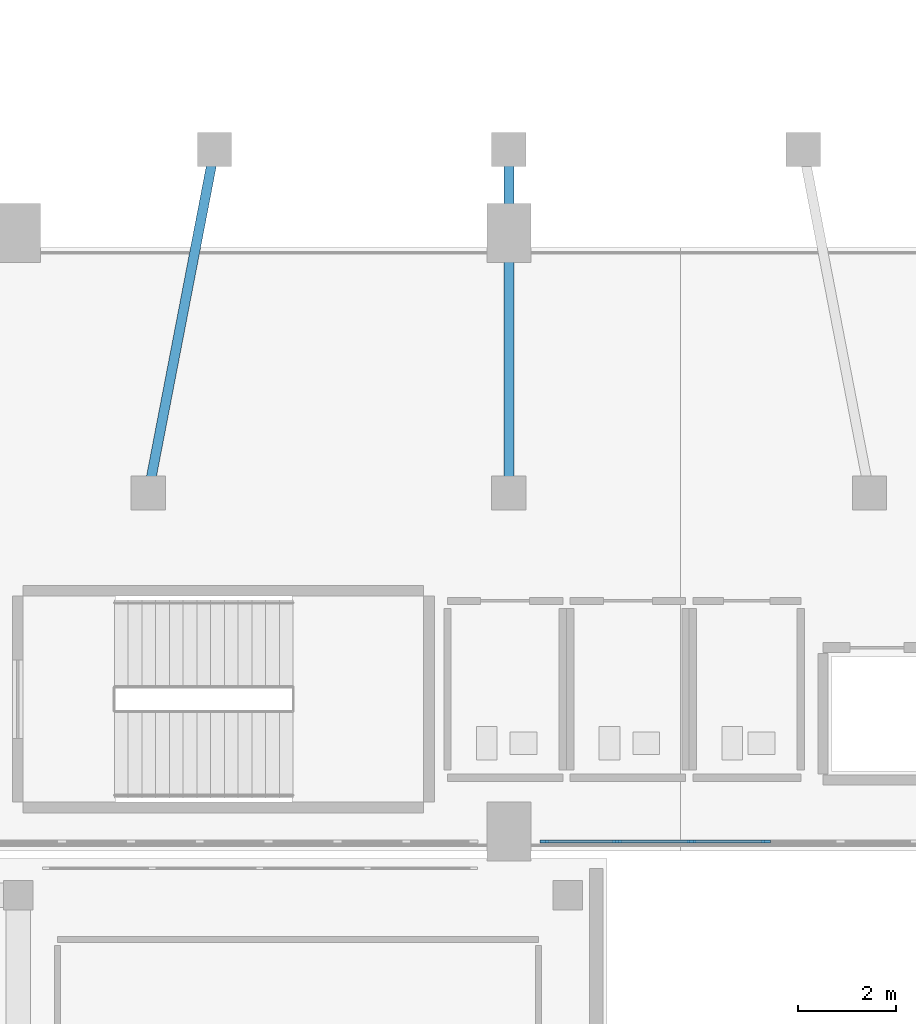
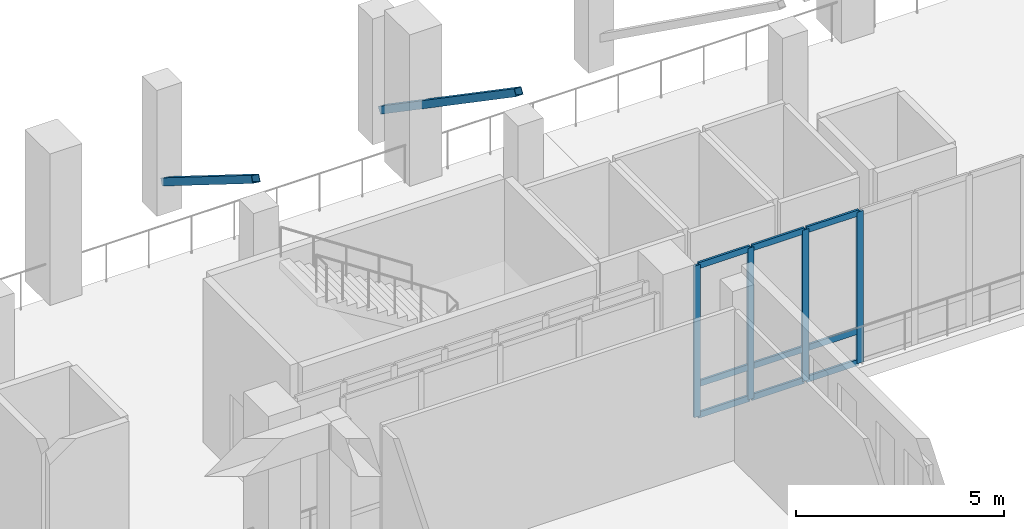
# One storey, part 21 of 126: 15 members, 1 element without a shape of its own.
"""IFC4 building model written with IfcOpenShell, lengths in metres."""

from ifc_helpers import new_model, si_unit, derived_unit, direction, frame, origin, origin_2d, place, context, subcontext, project, spatial, rectangle, hollow_rectangle, extrude, material, layer, layer_set, material_profile, profile_set, type_object, element, aggregate, save


model = new_model("IFC4")

# Units and contexts
model_context = context("Model", 3, precision=1e-05, world=origin(), true_north=direction((0.0, 1.0)))
body_context = subcontext(model_context, "Body", "Model", "MODEL_VIEW")
ifc_project = project(units=[si_unit("LENGTHUNIT", "METRE"), si_unit("AREAUNIT", "SQUARE_METRE"), si_unit("VOLUMEUNIT", "CUBIC_METRE"), si_unit("PLANEANGLEUNIT", "RADIAN"), si_unit("MASSUNIT", "GRAM", prefix="KILO"), derived_unit("THERMALTRANSMITTANCEUNIT", [(si_unit("MASSUNIT", "GRAM", prefix="KILO"), 1), (si_unit("TIMEUNIT", "SECOND"), -3), (si_unit("THERMODYNAMICTEMPERATUREUNIT", "KELVIN"), -1)])], contexts=[model_context])

# Site, building, storey
site_placement = place(None, origin())
site = spatial("IfcSite", under=ifc_project, at=site_placement, CompositionType="ELEMENT")
building_placement = place(site_placement, origin())
building = spatial("IfcBuilding", under=site, at=building_placement, Name="Valcora Ridge Arena", CompositionType="ELEMENT")
storey_placement = place(building_placement, frame((0.0, 0.0, 11.39990234375)))
storey = spatial("IfcBuildingStorey", under=building, at=storey_placement, Name="L02", CompositionType="ELEMENT", Elevation=11.39990234375)

# Curtain wall, members
ifc_material_1 = material(Name="Anodised dark bronze architectural aluminium 6063-T6", Category="aluminium")
ifc_layer = layer(ifc_material_1, 0.179931640625, Name="Anodised dark bronze architectural aluminium 6063-T6")
ifc_layer_set = layer_set([ifc_layer], Name="Anodised dark bronze architectural aluminium 6063-T6")
curtain_wall_type = type_object("IfcCurtainWallType", Name="TY-CURTAINWALL-CW-V1-GOTH-106X44", PredefinedType="NOTDEFINED", material=ifc_layer_set)
curtain_wall_placement = place(storey_placement, origin())
curtain_wall = element("IfcCurtainWall", 1, at=curtain_wall_placement, inside=storey, type_object=curtain_wall_type, Name="CW-V1-GOTH-106X44 CW-0121", PredefinedType="NOTDEFINED")
ifc_material_profile_1 = material_profile(ifc_material_1, rectangle(XDim=0.06005859375, YDim=0.179931640625, at=origin_2d()), Name="ALU MULLION 60x180")
ifc_profile_set_1 = profile_set([ifc_material_profile_1], Name="Anodised dark bronze architectural aluminium 6063-T6")
member_type_1 = type_object("IfcMemberType", Name="TY-MEM-CWM-60x180", PredefinedType="MULLION", material=ifc_profile_set_1)
member_1_placement = place(storey_placement, frame((58.719970703125, 20.199951171875, 0.0), z_axis=(0.0, 0.0, 1.0), x_axis=(0.0, 1.0, 0.0)))
member_1 = element("IfcMember", 2, at=member_1_placement, type_object=member_type_1, Name="CW-0121/CWM-60x180/M00", PredefinedType="MULLION", context=body_context, shape_type="SweptSolid", body=[
    extrude(rectangle(XDim=0.06005859375, YDim=0.179931640625, at=origin_2d()), origin(), (0.0, 0.0, 1.0), 4.4501953125),
])
member_2_placement = place(storey_placement, frame((60.20703125, 20.199951171875, 0.0), z_axis=(0.0, 0.0, 1.0), x_axis=(0.0, 1.0, 0.0)))
member_2 = element("IfcMember", 3, at=member_2_placement, type_object=member_type_1, Name="CW-0121/CWM-60x180/M01", PredefinedType="MULLION", context=body_context, shape_type="SweptSolid", body=[
    extrude(rectangle(XDim=0.06005859375, YDim=0.179931640625, at=origin_2d()), origin(), (0.0, 0.0, 1.0), 4.4501953125),
])
member_3_placement = place(storey_placement, frame((61.724365234375, 20.199951171875, 0.0), z_axis=(0.0, 0.0, 1.0), x_axis=(0.0, 1.0, 0.0)))
member_3 = element("IfcMember", 4, at=member_3_placement, type_object=member_type_1, Name="CW-0121/CWM-60x180/M02", PredefinedType="MULLION", context=body_context, shape_type="SweptSolid", body=[
    extrude(rectangle(XDim=0.06005859375, YDim=0.179931640625, at=origin_2d()), origin(), (0.0, 0.0, 1.0), 4.4501953125),
])
member_4_placement = place(storey_placement, frame((63.241455078125, 20.199951171875, 0.0), z_axis=(0.0, 0.0, 1.0), x_axis=(0.0, 1.0, 0.0)))
member_4 = element("IfcMember", 5, at=member_4_placement, type_object=member_type_1, Name="CW-0121/CWM-60x180/M03", PredefinedType="MULLION", context=body_context, shape_type="SweptSolid", body=[
    extrude(rectangle(XDim=0.06005859375, YDim=0.179931640625, at=origin_2d()), origin(), (0.0, 0.0, 1.0), 4.4501953125),
])
ifc_material_profile_2 = material_profile(ifc_material_1, rectangle(XDim=0.06005859375, YDim=0.179931640625, at=origin_2d()), Name="ALU TRANSOM 60x180")
ifc_profile_set_2 = profile_set([ifc_material_profile_2], Name="Anodised dark bronze architectural aluminium 6063-T6")
member_type_2 = type_object("IfcMemberType", Name="TY-MEM-CWT-60x180", PredefinedType="USERDEFINED", material=ifc_profile_set_2)
member_5_placement = place(storey_placement, frame((58.75, 20.199951171875, 0.030029296875), z_axis=(1.0, 0.0, 0.0), x_axis=(0.0, 1.0, 0.0)))
member_5 = element("IfcMember", 6, at=member_5_placement, type_object=member_type_2, Name="CW-0121/CWT-60x180/T00-00", ObjectType="TRANSOM", PredefinedType="USERDEFINED", context=body_context, shape_type="SweptSolid", body=[
    extrude(rectangle(XDim=0.06005859375, YDim=0.179931640625, at=origin_2d()), origin(), (0.0, 0.0, 1.0), 1.427001953125),
])
member_6_placement = place(storey_placement, frame((58.75, 20.199951171875, 0.9501953125), z_axis=(1.0, 0.0, 0.0), x_axis=(0.0, 1.0, 0.0)))
member_6 = element("IfcMember", 7, at=member_6_placement, type_object=member_type_2, Name="CW-0121/CWT-60x180/T00-01", ObjectType="TRANSOM", PredefinedType="USERDEFINED", context=body_context, shape_type="SweptSolid", body=[
    extrude(rectangle(XDim=0.06005859375, YDim=0.179931640625, at=origin_2d()), origin(), (0.0, 0.0, 1.0), 1.427001953125),
])
member_7_placement = place(storey_placement, frame((58.75, 20.199951171875, 4.420166015625), z_axis=(1.0, 0.0, 0.0), x_axis=(0.0, 1.0, 0.0)))
member_7 = element("IfcMember", 8, at=member_7_placement, type_object=member_type_2, Name="CW-0121/CWT-60x180/T00-02", ObjectType="TRANSOM", PredefinedType="USERDEFINED", context=body_context, shape_type="SweptSolid", body=[
    extrude(rectangle(XDim=0.06005859375, YDim=0.179931640625, at=origin_2d()), origin(), (0.0, 0.0, 1.0), 1.427001953125),
])
member_8_placement = place(storey_placement, frame((60.237060546875, 20.199951171875, 0.030029296875), z_axis=(1.0, 0.0, 0.0), x_axis=(0.0, 1.0, 0.0)))
member_8 = element("IfcMember", 9, at=member_8_placement, type_object=member_type_2, Name="CW-0121/CWT-60x180/T01-00", ObjectType="TRANSOM", PredefinedType="USERDEFINED", context=body_context, shape_type="SweptSolid", body=[
    extrude(rectangle(XDim=0.06005859375, YDim=0.179931640625, at=origin_2d()), origin(), (0.0, 0.0, 1.0), 1.45703125),
])
member_9_placement = place(storey_placement, frame((60.237060546875, 20.199951171875, 0.9501953125), z_axis=(1.0, 0.0, 0.0), x_axis=(0.0, 1.0, 0.0)))
member_9 = element("IfcMember", 10, at=member_9_placement, type_object=member_type_2, Name="CW-0121/CWT-60x180/T01-01", ObjectType="TRANSOM", PredefinedType="USERDEFINED", context=body_context, shape_type="SweptSolid", body=[
    extrude(rectangle(XDim=0.06005859375, YDim=0.179931640625, at=origin_2d()), origin(), (0.0, 0.0, 1.0), 1.45703125),
])
member_10_placement = place(storey_placement, frame((60.237060546875, 20.199951171875, 4.420166015625), z_axis=(1.0, 0.0, 0.0), x_axis=(0.0, 1.0, 0.0)))
member_10 = element("IfcMember", 11, at=member_10_placement, type_object=member_type_2, Name="CW-0121/CWT-60x180/T01-02", ObjectType="TRANSOM", PredefinedType="USERDEFINED", context=body_context, shape_type="SweptSolid", body=[
    extrude(rectangle(XDim=0.06005859375, YDim=0.179931640625, at=origin_2d()), origin(), (0.0, 0.0, 1.0), 1.45703125),
])
member_11_placement = place(storey_placement, frame((61.75390625, 20.199951171875, 0.030029296875), z_axis=(1.0, 0.0, 0.0), x_axis=(0.0, 1.0, 0.0)))
member_11 = element("IfcMember", 12, at=member_11_placement, type_object=member_type_2, Name="CW-0121/CWT-60x180/T02-00", ObjectType="TRANSOM", PredefinedType="USERDEFINED", context=body_context, shape_type="SweptSolid", body=[
    extrude(rectangle(XDim=0.06005859375, YDim=0.179931640625, at=origin_2d()), origin(), (0.0, 0.0, 1.0), 1.45703125),
])
member_12_placement = place(storey_placement, frame((61.75390625, 20.199951171875, 0.9501953125), z_axis=(1.0, 0.0, 0.0), x_axis=(0.0, 1.0, 0.0)))
member_12 = element("IfcMember", 13, at=member_12_placement, type_object=member_type_2, Name="CW-0121/CWT-60x180/T02-01", ObjectType="TRANSOM", PredefinedType="USERDEFINED", context=body_context, shape_type="SweptSolid", body=[
    extrude(rectangle(XDim=0.06005859375, YDim=0.179931640625, at=origin_2d()), origin(), (0.0, 0.0, 1.0), 1.45703125),
])
member_13_placement = place(storey_placement, frame((61.75390625, 20.199951171875, 4.420166015625), z_axis=(1.0, 0.0, 0.0), x_axis=(0.0, 1.0, 0.0)))
member_13 = element("IfcMember", 14, at=member_13_placement, type_object=member_type_2, Name="CW-0121/CWT-60x180/T02-02", ObjectType="TRANSOM", PredefinedType="USERDEFINED", context=body_context, shape_type="SweptSolid", body=[
    extrude(rectangle(XDim=0.06005859375, YDim=0.179931640625, at=origin_2d()), origin(), (0.0, 0.0, 1.0), 1.45703125),
])
aggregate(curtain_wall, [member_1, member_2, member_3, member_4, member_5, member_6, member_7, member_8, member_9, member_10, member_11, member_12, member_13])

# Members
ifc_material_2 = material(Name="Steel ASTM A500 Grade C", Category="steel")
ifc_material_profile_3 = material_profile(ifc_material_2, hollow_rectangle(XDim=0.199951171875, YDim=0.199951171875, WallThickness=0.012451171875, at=origin_2d()), Name="HSS200X200X12")
ifc_profile_set_3 = profile_set([ifc_material_profile_3], Name="Steel ASTM A500 Grade C")
member_type_3 = type_object("IfcMemberType", Name="TY-MEMBER-RKRUD-200", PredefinedType="BRACE", material=ifc_profile_set_3)
member_14_placement = place(storey_placement, frame((51.9560546875, 34.072021484375, 0.8564453125), z_axis=(-0.157069850286, -0.814490281884, 0.558511094651), x_axis=(0.981908592897, -0.189355525917, 0.0)))
element("IfcMember", 15, at=member_14_placement, inside=storey, type_object=member_type_3, Name="RKRUD-200 Raker Diagonal Brace", PredefinedType="BRACE", context=body_context, shape_type="SweptSolid", body=[
    extrude(hollow_rectangle(XDim=0.199951171875, YDim=0.199951171875, WallThickness=0.012451171875, at=origin_2d()), origin(), (0.0, 0.0, 1.0), 8.034423828125),
])
member_15_placement = place(storey_placement, frame((58.0, 34.069091796875, 0.8583984375), z_axis=(0.0, -0.824720644015, 0.565540325119), x_axis=(1.0, 0.0, 0.0)))
element("IfcMember", 16, at=member_15_placement, inside=storey, type_object=member_type_3, Name="RKRUD-200 Raker Diagonal Brace", PredefinedType="BRACE", context=body_context, shape_type="SweptSolid", body=[
    extrude(hollow_rectangle(XDim=0.199951171875, YDim=0.199951171875, WallThickness=0.012451171875, at=origin_2d()), origin(), (0.0, 0.0, 1.0), 7.927734375),
])

save(model, "model.ifc")
